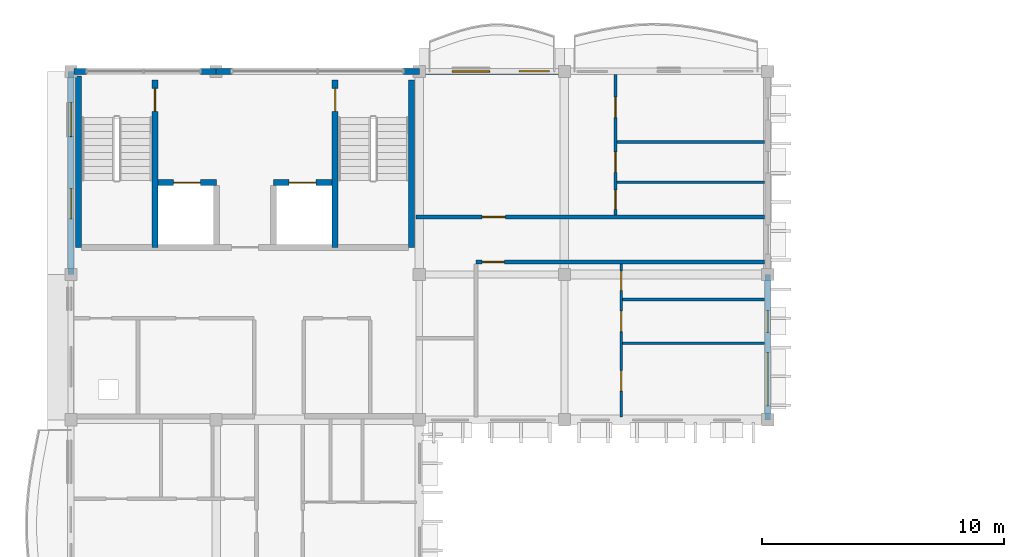
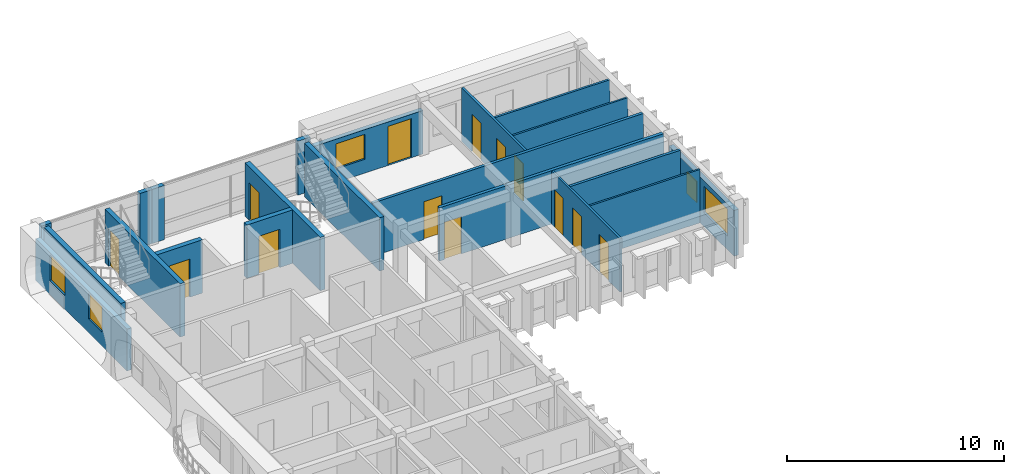
# One storey, part 9 of 28: 21 walls, 13 doors, 5 windows, 18 openings.
"""IFC4 building model written with IfcOpenShell, lengths in metres."""

from ifc_helpers import new_model, si_unit, direction, frame, frame_2d, origin, place, context, subcontext, project, spatial, rectangle, extrude, material, layer, layer_set, type_object, element, fill, save


model = new_model("IFC4")

# Units and contexts
model_context = context("Model", 3, precision=1e-05, world=origin(), true_north=direction((0.0, 1.0)))
body_context = subcontext(model_context, "Body", "Model", "MODEL_VIEW")
ifc_project = project(units=[si_unit("LENGTHUNIT", "METRE"), si_unit("AREAUNIT", "SQUARE_METRE"), si_unit("VOLUMEUNIT", "CUBIC_METRE"), si_unit("PLANEANGLEUNIT", "RADIAN"), si_unit("MASSUNIT", "GRAM", prefix="KILO"), si_unit("THERMODYNAMICTEMPERATUREUNIT", "KELVIN")], contexts=[model_context])

# Site, building, storey
site_placement = place(None, origin())
site = spatial("IfcSite", under=ifc_project, at=site_placement, CompositionType="ELEMENT")
building_placement = place(site_placement, origin())
building = spatial("IfcBuilding", under=site, at=building_placement, Name="Thalorik Housing Commons", CompositionType="ELEMENT")
storey_placement = place(building_placement, frame((0.0, 0.0, 41.10009765625)))
storey = spatial("IfcBuildingStorey", under=building, at=storey_placement, Name="L12", CompositionType="ELEMENT", Elevation=41.10009765625)

# Wall, opening, door
ifc_material_1 = material(Name="Concrete C40/50", Category="concrete")
ifc_layer_1 = layer(ifc_material_1, 0.25, Name="Concrete C40/50", Category="concrete")
ifc_layer_set_1 = layer_set([ifc_layer_1], Name="Concrete C40/50")
wall_type_1 = type_object("IfcWallType", Name="ARC-WAL-CORE-250", PredefinedType="SHEAR", material=ifc_layer_set_1)
wall_1_placement = place(storey_placement, frame((11.875, 123.25, 0.0), z_axis=(0.0, 0.0, 1.0), x_axis=(0.0, -1.0, 0.0)))
wall_1 = element("IfcWall", 1, at=wall_1_placement, inside=storey, type_object=wall_type_1, Name="L12 Core A Stair 1 Shear Wall", PredefinedType="SHEAR", context=body_context, shape_type="SweptSolid", body=[
    extrude(rectangle(XDim=6.925048828125, YDim=0.25, at=frame_2d((3.46240234375, 0.0))), origin(), (0.0, 0.0, 1.0), 3.0),
])
opening_1_placement = place(wall_1_placement, frame((0.35009765625, 0.0, 0.0)))
opening_1 = element("IfcOpeningElement", 2, at=opening_1_placement, cuts=wall_1, Name="Opening ID-0105", PredefinedType="OPENING", context=body_context, shape_type="SweptSolid", body=[
    extrude(rectangle(XDim=0.949951171875, YDim=2.10009765625, at=frame_2d((0.47509765625, 1.050048828125))), frame((0.0, 0.135009765625, 0.0), z_axis=(0.0, -1.0, 0.0), x_axis=(1.0, 0.0, 0.0)), (0.0, 0.0, 1.0), 0.27001953125),
])
ifc_material_2 = material(Name="Steel S355", Category="steel")
door_type_1 = type_object("IfcDoorType", Name="ARC-DR-FD60-950", OperationType="NOTDEFINED", PredefinedType="DOOR", material=ifc_material_2)
door_1_placement = place(opening_1_placement, origin())
door_1 = element("IfcDoor", 3, at=door_1_placement, inside=storey, type_object=door_type_1, Name="L12 Stair ST-A1 Fire Door", OperationType="SINGLE_SWING_RIGHT", OverallHeight=2.10009765625, OverallWidth=0.949951171875, PredefinedType="DOOR", context=body_context, shape_type="SweptSolid", body=[
    extrude(rectangle(XDim=0.949951171875, YDim=2.10009765625, at=frame_2d((0.47509765625, 1.050048828125))), frame((0.0, 0.02490234375, 0.0), z_axis=(0.0, -1.0, 0.0), x_axis=(1.0, 0.0, 0.0)), (0.0, 0.0, 1.0), 0.050048828125),
])
fill(opening_1, door_1)

# Walls
wall_2_placement = place(storey_placement, frame((8.72509765625, 123.39990234375, 0.0), z_axis=(0.0, 0.0, 1.0), x_axis=(0.0, -1.0, 0.0)))
element("IfcWall", 4, at=wall_2_placement, inside=storey, type_object=wall_type_1, Name="L12 Core A Stair 1 Outer Shear Wall", PredefinedType="SHEAR", context=body_context, shape_type="SweptSolid", body=[
    extrude(rectangle(XDim=7.074951171875, YDim=0.25, at=frame_2d((3.53759765625, 0.0))), origin(), (0.0, 0.0, 1.0), 3.0),
])
wall_3_placement = place(storey_placement, frame((22.47509765625, 123.25, 0.0), z_axis=(0.0, 0.0, 1.0), x_axis=(0.0, -1.0, 0.0)))
element("IfcWall", 5, at=wall_3_placement, inside=storey, type_object=wall_type_1, Name="L12 Core A Stair 2 Outer Shear Wall", PredefinedType="SHEAR", context=body_context, shape_type="SweptSolid", body=[
    extrude(rectangle(XDim=6.925048828125, YDim=0.25, at=frame_2d((3.46240234375, 0.0))), origin(), (0.0, 0.0, 1.0), 3.0),
])

# Wall, opening, door
wall_4_placement = place(storey_placement, frame((19.324951171875, 123.25, 0.0), z_axis=(0.0, 0.0, 1.0), x_axis=(0.0, -1.0, 0.0)))
wall_4 = element("IfcWall", 6, at=wall_4_placement, inside=storey, type_object=wall_type_1, Name="L12 Core A Stair 2 Shear Wall", PredefinedType="SHEAR", context=body_context, shape_type="SweptSolid", body=[
    extrude(rectangle(XDim=6.925048828125, YDim=0.25, at=frame_2d((3.46240234375, 0.0))), origin(), (0.0, 0.0, 1.0), 3.0),
])
opening_2_placement = place(wall_4_placement, frame((0.35009765625, 0.0, 0.0)))
opening_2 = element("IfcOpeningElement", 7, at=opening_2_placement, cuts=wall_4, Name="Opening ID-0106", PredefinedType="OPENING", context=body_context, shape_type="SweptSolid", body=[
    extrude(rectangle(XDim=0.949951171875, YDim=2.10009765625, at=frame_2d((0.47509765625, 1.050048828125))), frame((0.0, 0.135009765625, 0.0), z_axis=(0.0, -1.0, 0.0), x_axis=(1.0, 0.0, 0.0)), (0.0, 0.0, 1.0), 0.27001953125),
])
door_2_placement = place(opening_2_placement, origin())
door_2 = element("IfcDoor", 8, at=door_2_placement, inside=storey, type_object=door_type_1, Name="L12 Stair ST-A2 Fire Door", OperationType="SINGLE_SWING_LEFT", OverallHeight=2.10009765625, OverallWidth=0.949951171875, PredefinedType="DOOR", context=body_context, shape_type="SweptSolid", body=[
    extrude(rectangle(XDim=0.949951171875, YDim=2.10009765625, at=frame_2d((0.47509765625, 1.050048828125))), frame((0.0, 0.02490234375, 0.0), z_axis=(0.0, -1.0, 0.0), x_axis=(1.0, 0.0, 0.0)), (0.0, 0.0, 1.0), 0.050048828125),
])
fill(opening_2, door_2)

wall_5_placement = place(storey_placement, frame((12.0, 119.0, 0.0), z_axis=(0.0, 0.0, 1.0), x_axis=(1.0, 0.0, 0.0)))
wall_5 = element("IfcWall", 9, at=wall_5_placement, inside=storey, type_object=wall_type_1, Name="L12 Lift LF-A1 Front Shaft Wall", PredefinedType="SHEAR", context=body_context, shape_type="SweptSolid", body=[
    extrude(rectangle(XDim=2.425048828125, YDim=0.25, at=frame_2d((1.21240234375, 0.0))), origin(), (0.0, 0.0, 1.0), 3.0),
])
opening_3_placement = place(wall_5_placement, frame((0.64990234375, 0.0, 0.0)))
opening_3 = element("IfcOpeningElement", 10, at=opening_3_placement, cuts=wall_5, Name="Opening LD-LF-A1-L12", PredefinedType="OPENING", context=body_context, shape_type="SweptSolid", body=[
    extrude(rectangle(XDim=1.10009765625, YDim=2.14990234375, at=frame_2d((0.550048828125, 1.074951171875))), frame((0.0, 0.135009765625, 0.0), z_axis=(0.0, -1.0, 0.0), x_axis=(1.0, 0.0, 0.0)), (0.0, 0.0, 1.0), 0.27001953125),
])
door_type_2 = type_object("IfcDoorType", Name="ARC-DR-LIFT-1100", OperationType="NOTDEFINED", PredefinedType="DOOR", material=ifc_material_2)
door_3_placement = place(opening_3_placement, origin())
door_3 = element("IfcDoor", 11, at=door_3_placement, inside=storey, type_object=door_type_2, Name="L12 Lift LF-A1 Landing Door", OperationType="SLIDING_TO_LEFT", OverallHeight=2.14990234375, OverallWidth=1.10009765625, PredefinedType="DOOR", context=body_context, shape_type="SweptSolid", body=[
    extrude(rectangle(XDim=1.10009765625, YDim=2.14990234375, at=frame_2d((0.550048828125, 1.074951171875))), frame((0.0, 0.02490234375, 0.0), z_axis=(0.0, -1.0, 0.0), x_axis=(1.0, 0.0, 0.0)), (0.0, 0.0, 1.0), 0.050048828125),
])
fill(opening_3, door_3)

wall_6_placement = place(storey_placement, frame((16.77490234375, 119.0, 0.0), z_axis=(0.0, 0.0, 1.0), x_axis=(1.0, 0.0, 0.0)))
wall_6 = element("IfcWall", 12, at=wall_6_placement, inside=storey, type_object=wall_type_1, Name="L12 Lift LP-A2 Front Shaft Wall", PredefinedType="SHEAR", context=body_context, shape_type="SweptSolid", body=[
    extrude(rectangle(XDim=2.425048828125, YDim=0.25, at=frame_2d((1.21240234375, 0.0))), origin(), (0.0, 0.0, 1.0), 3.0),
])
opening_4_placement = place(wall_6_placement, frame((0.64990234375, 0.0, 0.0)))
opening_4 = element("IfcOpeningElement", 13, at=opening_4_placement, cuts=wall_6, Name="Opening LD-LP-A2-L12", PredefinedType="OPENING", context=body_context, shape_type="SweptSolid", body=[
    extrude(rectangle(XDim=1.10009765625, YDim=2.14990234375, at=frame_2d((0.550048828125, 1.074951171875))), frame((0.0, 0.135009765625, 0.0), z_axis=(0.0, -1.0, 0.0), x_axis=(1.0, 0.0, 0.0)), (0.0, 0.0, 1.0), 0.27001953125),
])
door_4_placement = place(opening_4_placement, origin())
door_4 = element("IfcDoor", 14, at=door_4_placement, inside=storey, type_object=door_type_2, Name="L12 Lift LP-A2 Landing Door", OperationType="SLIDING_TO_LEFT", OverallHeight=2.14990234375, OverallWidth=1.10009765625, PredefinedType="DOOR", context=body_context, shape_type="SweptSolid", body=[
    extrude(rectangle(XDim=1.10009765625, YDim=2.14990234375, at=frame_2d((0.550048828125, 1.074951171875))), frame((0.0, 0.02490234375, 0.0), z_axis=(0.0, -1.0, 0.0), x_axis=(1.0, 0.0, 0.0)), (0.0, 0.0, 1.0), 0.050048828125),
])
fill(opening_4, door_4)

ifc_material_3 = material(Name="Masonry fire-rated corridor wall", Category="masonry")
ifc_layer_2 = layer(ifc_material_3, 0.14990234375, Name="Masonry fire-rated corridor wall", Category="masonry")
ifc_layer_set_2 = layer_set([ifc_layer_2], Name="Masonry fire-rated corridor wall")
wall_type_2 = type_object("IfcWallType", Name="ARC-WAL-CORR-150", PredefinedType="PARTITIONING", material=ifc_layer_set_2)
wall_7_placement = place(storey_placement, frame((22.659912109375, 117.580078125, 0.0), z_axis=(0.0, 0.0, 1.0), x_axis=(1.0, 0.0, 0.0)))
wall_7 = element("IfcWall", 15, at=wall_7_placement, inside=storey, type_object=wall_type_2, Name="L12 Block A N Corridor Wall 2", PredefinedType="PARTITIONING", context=body_context, shape_type="SweptSolid", body=[
    extrude(rectangle(XDim=14.41552734375, YDim=0.14990234375, at=frame_2d((7.207763671875, 0.0))), origin(), (0.0, 0.0, 1.0), 3.0),
])
opening_5_placement = place(wall_7_placement, frame((2.739990234375, 0.0, 0.0)))
opening_5 = element("IfcOpeningElement", 16, at=opening_5_placement, cuts=wall_7, Name="Opening ID-0900", PredefinedType="OPENING", context=body_context, shape_type="SweptSolid", body=[
    extrude(rectangle(XDim=0.9599609375, YDim=2.1201171875, at=frame_2d((0.47998046875, 1.06005859375))), frame((0.0, 0.0849609375, 0.0), z_axis=(0.0, -1.0, 0.0), x_axis=(1.0, 0.0, 0.0)), (0.0, 0.0, 1.0), 0.169921875),
])
ifc_material_4 = material(Name="Solid core hardwood timber", Category="wood")
door_type_3 = type_object("IfcDoorType", Name="ARC-DR-FD30-960", OperationType="NOTDEFINED", PredefinedType="DOOR", material=ifc_material_4)
door_5_placement = place(opening_5_placement, origin())
door_5 = element("IfcDoor", 17, at=door_5_placement, inside=storey, type_object=door_type_3, Name="L12 Flat AN-1B Entrance Door", OperationType="SINGLE_SWING_LEFT", OverallHeight=2.1201171875, OverallWidth=0.9599609375, PredefinedType="DOOR", context=body_context, shape_type="SweptSolid", body=[
    extrude(rectangle(XDim=0.9599609375, YDim=2.1201171875, at=frame_2d((0.47998046875, 1.06005859375))), frame((0.0, 0.02490234375, 0.0), z_axis=(0.0, -1.0, 0.0), x_axis=(1.0, 0.0, 0.0)), (0.0, 0.0, 1.0), 0.050048828125),
])
fill(opening_5, door_5)

ifc_layer_3 = layer(ifc_material_3, 0.1650390625, Name="Masonry fire-rated corridor wall", Category="masonry")
ifc_layer_set_3 = layer_set([ifc_layer_3], Name="Masonry fire-rated corridor wall")
wall_type_3 = type_object("IfcWallType", Name="ARC-WAL-CORR-165", PredefinedType="PARTITIONING", material=ifc_layer_set_3)
wall_8_placement = place(storey_placement, frame((25.14990234375, 115.719970703125, 0.0), z_axis=(0.0, 0.0, 1.0), x_axis=(1.0, 0.0, 0.0)))
wall_8 = element("IfcWall", 18, at=wall_8_placement, inside=storey, type_object=wall_type_3, Name="L12 Block A N Corridor Wall 1", PredefinedType="PARTITIONING", context=body_context, shape_type="SweptSolid", body=[
    extrude(rectangle(XDim=11.925537109375, YDim=0.1650390625, at=frame_2d((5.962890625, 0.0))), origin(), (0.0, 0.0, 1.0), 3.0),
])
opening_6_placement = place(wall_8_placement, frame((0.25, 0.0, 0.0)))
opening_6 = element("IfcOpeningElement", 19, at=opening_6_placement, cuts=wall_8, Name="Opening ID-0899", PredefinedType="OPENING", context=body_context, shape_type="SweptSolid", body=[
    extrude(rectangle(XDim=0.919921875, YDim=2.10009765625, at=frame_2d((0.4599609375, 1.050048828125))), frame((0.0, 0.092529296875, 0.0), z_axis=(0.0, -1.0, 0.0), x_axis=(1.0, 0.0, 0.0)), (0.0, 0.0, 1.0), 0.18505859375),
])
door_type_4 = type_object("IfcDoorType", Name="ARC-DR-FD30-920", OperationType="NOTDEFINED", PredefinedType="DOOR", material=ifc_material_4)
door_6_placement = place(opening_6_placement, origin())
door_6 = element("IfcDoor", 20, at=door_6_placement, inside=storey, type_object=door_type_4, Name="L12 Flat AN-1A Entrance Door", OperationType="SINGLE_SWING_RIGHT", OverallHeight=2.10009765625, OverallWidth=0.919921875, PredefinedType="DOOR", context=body_context, shape_type="SweptSolid", body=[
    extrude(rectangle(XDim=0.919921875, YDim=2.10009765625, at=frame_2d((0.4599609375, 1.050048828125))), frame((0.0, 0.02490234375, 0.0), z_axis=(0.0, -1.0, 0.0), x_axis=(1.0, 0.0, 0.0)), (0.0, 0.0, 1.0), 0.050048828125),
])
fill(opening_6, door_6)

# Wall, openings, windows
ifc_material_5 = material(Name="White precast concrete C40/50", Category="concrete")
ifc_layer_4 = layer(ifc_material_5, 0.2451171875, Name="White precast concrete C40/50", Category="concrete")
ifc_layer_set_4 = layer_set([ifc_layer_4], Name="White precast concrete C40/50")
wall_type_4 = type_object("IfcWallType", Name="ARC-WAL-EXT-245", PredefinedType="STANDARD", material=ifc_layer_set_4)
wall_9_placement = place(storey_placement, frame((37.199951171875, 109.199951171875, 0.0), z_axis=(0.0, 0.0, 1.0), x_axis=(0.0, 1.0, 0.0)))
wall_9 = element("IfcWall", 21, at=wall_9_placement, inside=storey, type_object=wall_type_4, Name="L12 Exterior Wall WAL-EXT-L12-A-0299", PredefinedType="STANDARD", context=body_context, shape_type="SweptSolid", body=[
    extrude(rectangle(XDim=6.0, YDim=0.2451171875, at=frame_2d((3.0, 0.0))), origin(), (0.0, 0.0, 1.0), 2.574951171875),
])
opening_7_placement = place(wall_9_placement, frame((0.575439453125, 0.0, 0.780029296875)))
opening_7 = element("IfcOpeningElement", 22, at=opening_7_placement, cuts=wall_9, Name="Opening W-29", PredefinedType="OPENING", context=body_context, shape_type="SweptSolid", body=[
    extrude(rectangle(XDim=2.199951171875, YDim=1.5, at=frame_2d((1.10009765625, 0.75))), frame((0.0, 0.132568359375, 0.0), z_axis=(0.0, -1.0, 0.0), x_axis=(1.0, 0.0, 0.0)), (0.0, 0.0, 1.0), 0.26513671875),
])
opening_8_placement = place(wall_9_placement, frame((3.615234375, 0.0, 0.780029296875)))
opening_8 = element("IfcOpeningElement", 23, at=opening_8_placement, cuts=wall_9, Name="Opening W-01", PredefinedType="OPENING", context=body_context, shape_type="SweptSolid", body=[
    extrude(rectangle(XDim=0.89990234375, YDim=1.199951171875, at=frame_2d((0.449951171875, 0.60009765625))), frame((0.0, 0.132568359375, 0.0), z_axis=(0.0, -1.0, 0.0), x_axis=(1.0, 0.0, 0.0)), (0.0, 0.0, 1.0), 0.26513671875),
])
ifc_material_6 = material(Name="Anodised aluminium and solar-control low-E glass", Category="aluminium")
window_type_1 = type_object("IfcWindowType", Name="ARC-WIN-01", PartitioningType="SINGLE_PANEL", PredefinedType="WINDOW", material=ifc_material_6)
window_1_placement = place(opening_8_placement, origin())
window_1 = element("IfcWindow", 24, at=window_1_placement, inside=storey, type_object=window_type_1, Name="L12 Facade Window 538", OverallHeight=1.199951171875, OverallWidth=0.89990234375, PartitioningType="SINGLE_PANEL", PredefinedType="WINDOW", context=body_context, shape_type="SweptSolid", body=[
    extrude(rectangle(XDim=0.89990234375, YDim=1.199951171875, at=frame_2d((0.449951171875, 0.60009765625))), frame((0.0, 0.030029296875, 0.0), z_axis=(0.0, -1.0, 0.0), x_axis=(1.0, 0.0, 0.0)), (0.0, 0.0, 1.0), 0.06005859375),
])
fill(opening_8, window_1)
window_type_2 = type_object("IfcWindowType", Name="ARC-WIN-29", PartitioningType="DOUBLE_PANEL_VERTICAL", PredefinedType="WINDOW", material=ifc_material_6)
window_2_placement = place(opening_7_placement, origin())
window_2 = element("IfcWindow", 25, at=window_2_placement, inside=storey, type_object=window_type_2, Name="L12 Facade Window 537", OverallHeight=1.5, OverallWidth=2.199951171875, PartitioningType="DOUBLE_PANEL_VERTICAL", PredefinedType="WINDOW", context=body_context, shape_type="SweptSolid", body=[
    extrude(rectangle(XDim=2.199951171875, YDim=1.5, at=frame_2d((1.10009765625, 0.75))), frame((0.0, 0.030029296875, 0.0), z_axis=(0.0, -1.0, 0.0), x_axis=(1.0, 0.0, 0.0)), (0.0, 0.0, 1.0), 0.06005859375),
])
fill(opening_7, window_2)

# Wall, openings, door, window
wall_10_placement = place(storey_placement, frame((28.800048828125, 123.60009765625, 0.0), z_axis=(0.0, 0.0, 1.0), x_axis=(-1.0, 0.0, 0.0)))
wall_10 = element("IfcWall", 26, at=wall_10_placement, inside=storey, type_object=wall_type_4, Name="L12 Exterior Wall WAL-EXT-L12-A-0302", PredefinedType="STANDARD", context=body_context, shape_type="SweptSolid", body=[
    extrude(rectangle(XDim=6.0, YDim=0.2451171875, at=frame_2d((3.0, 0.0))), origin(), (0.0, 0.0, 1.0), 2.44482421875),
])
opening_9_placement = place(wall_10_placement, frame((0.6201171875, 0.0, 0.0)))
opening_9 = element("IfcOpeningElement", 27, at=opening_9_placement, cuts=wall_10, Name="Opening ED-0097", PredefinedType="OPENING", context=body_context, shape_type="SweptSolid", body=[
    extrude(rectangle(XDim=1.25, YDim=2.199951171875, at=frame_2d((0.625, 1.10009765625))), frame((0.0, 0.132568359375, 0.0), z_axis=(0.0, -1.0, 0.0), x_axis=(1.0, 0.0, 0.0)), (0.0, 0.0, 1.0), 0.26513671875),
])
opening_10_placement = place(wall_10_placement, frame((3.090087890625, 0.0, 0.780029296875)))
opening_10 = element("IfcOpeningElement", 28, at=opening_10_placement, cuts=wall_10, Name="Opening W-12", PredefinedType="OPENING", context=body_context, shape_type="SweptSolid", body=[
    extrude(rectangle(XDim=1.550048828125, YDim=1.39990234375, at=frame_2d((0.77490234375, 0.699951171875))), frame((0.0, 0.132568359375, 0.0), z_axis=(0.0, -1.0, 0.0), x_axis=(1.0, 0.0, 0.0)), (0.0, 0.0, 1.0), 0.26513671875),
])
ifc_material_7 = material(Name="Anodised aluminium and laminated safety glass", Category="aluminium")
door_type_5 = type_object("IfcDoorType", Name="ARC-DR-BAL-1250", OperationType="NOTDEFINED", PredefinedType="DOOR", material=ifc_material_7)
door_7_placement = place(opening_9_placement, frame((1.25, 0.0, 0.0), z_axis=(0.0, 0.0, 1.0), x_axis=(-1.0, 0.0, 0.0)))
door_7 = element("IfcDoor", 29, at=door_7_placement, inside=storey, type_object=door_type_5, Name="L12 Block A Balcony Glazed Door", OperationType="SINGLE_SWING_RIGHT", OverallHeight=2.199951171875, OverallWidth=1.25, PredefinedType="DOOR", context=body_context, shape_type="SweptSolid", body=[
    extrude(rectangle(XDim=1.25, YDim=2.199951171875, at=frame_2d((0.625, 1.10009765625))), frame((0.0, 0.02490234375, 0.0), z_axis=(0.0, -1.0, 0.0), x_axis=(1.0, 0.0, 0.0)), (0.0, 0.0, 1.0), 0.050048828125),
])
fill(opening_9, door_7)
window_type_3 = type_object("IfcWindowType", Name="ARC-WIN-12", PartitioningType="SINGLE_PANEL", PredefinedType="WINDOW", material=ifc_material_6)
window_3_placement = place(opening_10_placement, origin())
window_3 = element("IfcWindow", 30, at=window_3_placement, inside=storey, type_object=window_type_3, Name="L12 Facade Window 544", OverallHeight=1.39990234375, OverallWidth=1.550048828125, PartitioningType="SINGLE_PANEL", PredefinedType="WINDOW", context=body_context, shape_type="SweptSolid", body=[
    extrude(rectangle(XDim=1.550048828125, YDim=1.39990234375, at=frame_2d((0.77490234375, 0.699951171875))), frame((0.0, 0.030029296875, 0.0), z_axis=(0.0, -1.0, 0.0), x_axis=(1.0, 0.0, 0.0)), (0.0, 0.0, 1.0), 0.06005859375),
])
fill(opening_10, window_3)

# Walls
for number, where, z_axis, x_axis, name in (
    (31, (22.800048828125, 123.60009765625, 0.0), (0.0, 0.0, 1.0), (-1.0, 0.0, 0.0), "L12 Exterior Wall WAL-PIERL-L12-A-0303"),
    (32, (15.050048828125, 123.60009765625, 0.0), (0.0, 0.0, 1.0), (-1.0, 0.0, 0.0), "L12 Exterior Wall WAL-PIERR-L12-A-0303"),
):
    element("IfcWall", number, at=place(storey_placement, frame(where, z_axis=z_axis, x_axis=x_axis)), inside=storey, type_object=wall_type_4, Name=name, PredefinedType="STANDARD", context=body_context, shape_type="SweptSolid", body=[
        extrude(rectangle(XDim=0.650146484375, YDim=0.2451171875, at=frame_2d((0.3251953125, 0.0))), origin(), (0.0, 0.0, 1.0), 3.039794921875),
    ])
wall_11_placement = place(storey_placement, frame((14.39990234375, 123.60009765625, 0.0), z_axis=(0.0, 0.0, 1.0), x_axis=(-1.0, 0.0, 0.0)))
element("IfcWall", 33, at=wall_11_placement, inside=storey, type_object=wall_type_4, Name="L12 Exterior Wall WAL-PIERL-L12-A-0304", PredefinedType="STANDARD", context=body_context, shape_type="SweptSolid", body=[
    extrude(rectangle(XDim=0.64990234375, YDim=0.2451171875, at=frame_2d((0.324951171875, 0.0))), origin(), (0.0, 0.0, 1.0), 3.039794921875),
])
wall_12_placement = place(storey_placement, frame((9.050048828125, 123.60009765625, 0.0), z_axis=(0.0, 0.0, 1.0), x_axis=(-1.0, 0.0, 0.0)))
element("IfcWall", 34, at=wall_12_placement, inside=storey, type_object=wall_type_4, Name="L12 Exterior Wall WAL-PIERR-L12-A-0304", PredefinedType="STANDARD", context=body_context, shape_type="SweptSolid", body=[
    extrude(rectangle(XDim=0.525634765625, YDim=0.2451171875, at=frame_2d((0.2626953125, 0.0))), origin(), (0.0, 0.0, 1.0), 3.039794921875),
])

# Wall, openings, windows
wall_13_placement = place(storey_placement, frame((8.39990234375, 123.60009765625, 0.0), z_axis=(0.0, 0.0, 1.0), x_axis=(0.0, -1.0, 0.0)))
wall_13 = element("IfcWall", 35, at=wall_13_placement, inside=storey, type_object=wall_type_4, Name="L12 Exterior Wall WAL-EXT-L12-A-0305", PredefinedType="STANDARD", context=body_context, shape_type="SweptSolid", body=[
    extrude(rectangle(XDim=8.400146484375, YDim=0.2451171875, at=frame_2d((4.2001953125, 0.0))), origin(), (0.0, 0.0, 1.0), 2.344970703125),
])
opening_11_placement = place(wall_13_placement, frame((1.29638671875, 0.0, 0.780029296875)))
opening_11 = element("IfcOpeningElement", 36, at=opening_11_placement, cuts=wall_13, Name="Opening W-08", PredefinedType="OPENING", context=body_context, shape_type="SweptSolid", body=[
    extrude(rectangle(XDim=1.39990234375, YDim=1.449951171875, at=frame_2d((0.699951171875, 0.72509765625))), frame((0.0, 0.132568359375, 0.0), z_axis=(0.0, -1.0, 0.0), x_axis=(1.0, 0.0, 0.0)), (0.0, 0.0, 1.0), 0.26513671875),
])
opening_12_placement = place(wall_13_placement, frame((4.84375, 0.0, 0.780029296875)))
opening_12 = element("IfcOpeningElement", 37, at=opening_12_placement, cuts=wall_13, Name="Opening W-47", PredefinedType="OPENING", context=body_context, shape_type="SweptSolid", body=[
    extrude(rectangle(XDim=1.25, YDim=1.449951171875, at=frame_2d((0.625, 0.72509765625))), frame((0.0, 0.132568359375, 0.0), z_axis=(0.0, -1.0, 0.0), x_axis=(1.0, 0.0, 0.0)), (0.0, 0.0, 1.0), 0.26513671875),
])
window_type_4 = type_object("IfcWindowType", Name="ARC-WIN-08", PartitioningType="SINGLE_PANEL", PredefinedType="WINDOW", material=ifc_material_6)
window_4_placement = place(opening_11_placement, origin())
window_4 = element("IfcWindow", 38, at=window_4_placement, inside=storey, type_object=window_type_4, Name="L12 Facade Window 545", OverallHeight=1.449951171875, OverallWidth=1.39990234375, PartitioningType="SINGLE_PANEL", PredefinedType="WINDOW", context=body_context, shape_type="SweptSolid", body=[
    extrude(rectangle(XDim=1.39990234375, YDim=1.449951171875, at=frame_2d((0.699951171875, 0.72509765625))), frame((0.0, 0.030029296875, 0.0), z_axis=(0.0, -1.0, 0.0), x_axis=(1.0, 0.0, 0.0)), (0.0, 0.0, 1.0), 0.06005859375),
])
fill(opening_11, window_4)
window_type_5 = type_object("IfcWindowType", Name="ARC-WIN-47", PartitioningType="SINGLE_PANEL", PredefinedType="WINDOW", material=ifc_material_6)
window_5_placement = place(opening_12_placement, origin())
window_5 = element("IfcWindow", 39, at=window_5_placement, inside=storey, type_object=window_type_5, Name="L12 Facade Window 546", OverallHeight=1.449951171875, OverallWidth=1.25, PartitioningType="SINGLE_PANEL", PredefinedType="WINDOW", context=body_context, shape_type="SweptSolid", body=[
    extrude(rectangle(XDim=1.25, YDim=1.449951171875, at=frame_2d((0.625, 0.72509765625))), frame((0.0, 0.030029296875, 0.0), z_axis=(0.0, -1.0, 0.0), x_axis=(1.0, 0.0, 0.0)), (0.0, 0.0, 1.0), 0.06005859375),
])
fill(opening_12, window_5)

# Walls
ifc_material_8 = material(Name="Gypsum light stud partition", Category="masonry")
ifc_layer_5 = layer(ifc_material_8, 0.10009765625, Name="Gypsum light stud partition", Category="masonry")
ifc_layer_set_5 = layer_set([ifc_layer_5], Name="Gypsum light stud partition")
wall_type_5 = type_object("IfcWallType", Name="ARC-WAL-PART-100", PredefinedType="PARTITIONING", material=ifc_layer_set_5)
wall_14_placement = place(storey_placement, frame((31.20458984375, 112.36083984375, 0.0), z_axis=(0.0, 0.0, 1.0), x_axis=(1.0, 0.0, 0.0)))
element("IfcWall", 40, at=wall_14_placement, inside=storey, type_object=wall_type_5, Name="L12 Unit 1 Bedroom Partition", PredefinedType="PARTITIONING", context=body_context, shape_type="SweptSolid", body=[
    extrude(rectangle(XDim=5.870849609375, YDim=0.10009765625, at=frame_2d((2.935546875, 0.0))), origin(), (0.0, 0.0, 1.0), 3.0),
])
wall_15_placement = place(storey_placement, frame((30.9697265625, 119.010498046875, 0.0), z_axis=(0.0, 0.0, 1.0), x_axis=(1.0, 0.0, 0.0)))
element("IfcWall", 41, at=wall_15_placement, inside=storey, type_object=wall_type_5, Name="L12 Unit 1B Wet Wall", PredefinedType="PARTITIONING", context=body_context, shape_type="SweptSolid", body=[
    extrude(rectangle(XDim=6.105712890625, YDim=0.10009765625, at=frame_2d((3.052734375, 0.0))), origin(), (0.0, 0.0, 1.0), 3.0),
])

# Wall, openings, doors
ifc_material_9 = material(Name="Gypsum moisture-resistant partition", Category="masonry")
ifc_layer_6 = layer(ifc_material_9, 0.114990234375, Name="Gypsum moisture-resistant partition", Category="masonry")
ifc_layer_set_6 = layer_set([ifc_layer_6], Name="Gypsum moisture-resistant partition")
wall_type_6 = type_object("IfcWallType", Name="ARC-WAL-PART-115", PredefinedType="PARTITIONING", material=ifc_layer_set_6)
wall_16_placement = place(storey_placement, frame((31.14501953125, 109.324462890625, 0.0), z_axis=(0.0, 0.0, 1.0), x_axis=(0.0, 1.0, 0.0)))
wall_16 = element("IfcWall", 42, at=wall_16_placement, inside=storey, type_object=wall_type_6, Name="L12 Unit 1 Spine Partition", PredefinedType="PARTITIONING", context=body_context, shape_type="SweptSolid", body=[
    extrude(rectangle(XDim=6.31103515625, YDim=0.114990234375, at=frame_2d((3.155517578125, 0.0))), origin(), (0.0, 0.0, 1.0), 3.0),
])
opening_13_placement = place(wall_16_placement, frame((1.060791015625, 0.0, 0.0)))
opening_13 = element("IfcOpeningElement", 43, at=opening_13_placement, cuts=wall_16, Name="Opening ID-0893", PredefinedType="OPENING", context=body_context, shape_type="SweptSolid", body=[
    extrude(rectangle(XDim=0.85009765625, YDim=2.10009765625, at=frame_2d((0.425048828125, 1.050048828125))), frame((0.0, 0.0673828125, 0.0), z_axis=(0.0, -1.0, 0.0), x_axis=(1.0, 0.0, 0.0)), (0.0, 0.0, 1.0), 0.135009765625),
])
opening_14_placement = place(wall_16_placement, frame((3.515625, 0.0, 0.0)))
opening_14 = element("IfcOpeningElement", 44, at=opening_14_placement, cuts=wall_16, Name="Opening ID-0894", PredefinedType="OPENING", context=body_context, shape_type="SweptSolid", body=[
    extrude(rectangle(XDim=0.85009765625, YDim=2.10009765625, at=frame_2d((0.425048828125, 1.050048828125))), frame((0.0, 0.0673828125, 0.0), z_axis=(0.0, -1.0, 0.0), x_axis=(1.0, 0.0, 0.0)), (0.0, 0.0, 1.0), 0.135009765625),
])
opening_15_placement = place(wall_16_placement, frame((5.22021484375, 0.0, 0.0)))
opening_15 = element("IfcOpeningElement", 45, at=opening_15_placement, cuts=wall_16, Name="Opening ID-0895", PredefinedType="OPENING", context=body_context, shape_type="SweptSolid", body=[
    extrude(rectangle(XDim=0.800048828125, YDim=2.10009765625, at=frame_2d((0.39990234375, 1.050048828125))), frame((0.0, 0.0673828125, 0.0), z_axis=(0.0, -1.0, 0.0), x_axis=(1.0, 0.0, 0.0)), (0.0, 0.0, 1.0), 0.135009765625),
])
ifc_material_10 = material(Name="Moisture-resistant timber", Category="wood")
door_type_6 = type_object("IfcDoorType", Name="ARC-DR-INT-800", OperationType="NOTDEFINED", PredefinedType="DOOR", material=ifc_material_10)
door_8_placement = place(opening_15_placement, origin())
door_8 = element("IfcDoor", 46, at=door_8_placement, inside=storey, type_object=door_type_6, Name="L12 Flat Bathroom Door", OperationType="SINGLE_SWING_RIGHT", OverallHeight=2.10009765625, OverallWidth=0.800048828125, PredefinedType="DOOR", context=body_context, shape_type="SweptSolid", body=[
    extrude(rectangle(XDim=0.800048828125, YDim=2.10009765625, at=frame_2d((0.39990234375, 1.050048828125))), frame((0.0, 0.02490234375, 0.0), z_axis=(0.0, -1.0, 0.0), x_axis=(1.0, 0.0, 0.0)), (0.0, 0.0, 1.0), 0.050048828125),
])
fill(opening_15, door_8)
ifc_material_11 = material(Name="Engineered oak timber", Category="wood")
door_type_7 = type_object("IfcDoorType", Name="ARC-DR-INT-850", OperationType="NOTDEFINED", PredefinedType="DOOR", material=ifc_material_11)
door_9_placement = place(opening_13_placement, origin())
door_9 = element("IfcDoor", 47, at=door_9_placement, inside=storey, type_object=door_type_7, Name="L12 Single Bedroom Door", OperationType="SINGLE_SWING_RIGHT", OverallHeight=2.10009765625, OverallWidth=0.85009765625, PredefinedType="DOOR", context=body_context, shape_type="SweptSolid", body=[
    extrude(rectangle(XDim=0.85009765625, YDim=2.10009765625, at=frame_2d((0.425048828125, 1.050048828125))), frame((0.0, 0.02490234375, 0.0), z_axis=(0.0, -1.0, 0.0), x_axis=(1.0, 0.0, 0.0)), (0.0, 0.0, 1.0), 0.050048828125),
])
fill(opening_13, door_9)
door_10_placement = place(opening_14_placement, origin())
door_10 = element("IfcDoor", 48, at=door_10_placement, inside=storey, type_object=door_type_7, Name="L12 Galley Kitchen Door", OperationType="SINGLE_SWING_LEFT", OverallHeight=2.10009765625, OverallWidth=0.85009765625, PredefinedType="DOOR", context=body_context, shape_type="SweptSolid", body=[
    extrude(rectangle(XDim=0.85009765625, YDim=2.10009765625, at=frame_2d((0.425048828125, 1.050048828125))), frame((0.0, 0.02490234375, 0.0), z_axis=(0.0, -1.0, 0.0), x_axis=(1.0, 0.0, 0.0)), (0.0, 0.0, 1.0), 0.050048828125),
])
fill(opening_14, door_10)

# Wall
wall_17_placement = place(storey_placement, frame((30.9697265625, 120.67919921875, 0.0), z_axis=(0.0, 0.0, 1.0), x_axis=(1.0, 0.0, 0.0)))
element("IfcWall", 49, at=wall_17_placement, inside=storey, type_object=wall_type_6, Name="L12 Unit 1B Bedroom Partition", PredefinedType="PARTITIONING", context=body_context, shape_type="SweptSolid", body=[
    extrude(rectangle(XDim=6.105712890625, YDim=0.114990234375, at=frame_2d((3.052734375, 0.0))), origin(), (0.0, 0.0, 1.0), 3.0),
])

# Wall, openings, doors
ifc_material_12 = material(Name="Gypsum acoustic stud partition", Category="masonry")
ifc_layer_7 = layer(ifc_material_12, 0.125, Name="Gypsum acoustic stud partition", Category="masonry")
ifc_layer_set_7 = layer_set([ifc_layer_7], Name="Gypsum acoustic stud partition")
wall_type_7 = type_object("IfcWallType", Name="ARC-WAL-PART-125", PredefinedType="PARTITIONING", material=ifc_layer_set_7)
wall_18_placement = place(storey_placement, frame((30.9052734375, 117.656982421875, 0.0), z_axis=(0.0, 0.0, 1.0), x_axis=(0.0, 1.0, 0.0)))
wall_18 = element("IfcWall", 50, at=wall_18_placement, inside=storey, type_object=wall_type_7, Name="L12 Unit 1B Spine Partition", PredefinedType="PARTITIONING", context=body_context, shape_type="SweptSolid", body=[
    extrude(rectangle(XDim=5.818603515625, YDim=0.125, at=frame_2d((2.9091796875, 0.0))), origin(), (0.0, 0.0, 1.0), 3.0),
])
opening_16_placement = place(wall_18_placement, frame((0.23828125, 0.0, 0.0)))
opening_16 = element("IfcOpeningElement", 51, at=opening_16_placement, cuts=wall_18, Name="Opening ID-0896", PredefinedType="OPENING", context=body_context, shape_type="SweptSolid", body=[
    extrude(rectangle(XDim=0.800048828125, YDim=2.10009765625, at=frame_2d((0.39990234375, 1.050048828125))), frame((0.0, 0.072509765625, 0.0), z_axis=(0.0, -1.0, 0.0), x_axis=(1.0, 0.0, 0.0)), (0.0, 0.0, 1.0), 0.14501953125),
])
opening_17_placement = place(wall_18_placement, frame((1.7626953125, 0.0, 0.0)))
opening_17 = element("IfcOpeningElement", 52, at=opening_17_placement, cuts=wall_18, Name="Opening ID-0897", PredefinedType="OPENING", context=body_context, shape_type="SweptSolid", body=[
    extrude(rectangle(XDim=0.85009765625, YDim=2.10009765625, at=frame_2d((0.425048828125, 1.050048828125))), frame((0.0, 0.072509765625, 0.0), z_axis=(0.0, -1.0, 0.0), x_axis=(1.0, 0.0, 0.0)), (0.0, 0.0, 1.0), 0.14501953125),
])
opening_18_placement = place(wall_18_placement, frame((4.027587890625, 0.0, 0.0)))
opening_18 = element("IfcOpeningElement", 53, at=opening_18_placement, cuts=wall_18, Name="Opening ID-0898", PredefinedType="OPENING", context=body_context, shape_type="SweptSolid", body=[
    extrude(rectangle(XDim=0.85009765625, YDim=2.10009765625, at=frame_2d((0.425048828125, 1.050048828125))), frame((0.0, 0.072509765625, 0.0), z_axis=(0.0, -1.0, 0.0), x_axis=(1.0, 0.0, 0.0)), (0.0, 0.0, 1.0), 0.14501953125),
])
door_11_placement = place(opening_16_placement, origin())
door_11 = element("IfcDoor", 54, at=door_11_placement, inside=storey, type_object=door_type_6, Name="L12 Flat Bathroom Door", OperationType="SINGLE_SWING_LEFT", OverallHeight=2.10009765625, OverallWidth=0.800048828125, PredefinedType="DOOR", context=body_context, shape_type="SweptSolid", body=[
    extrude(rectangle(XDim=0.800048828125, YDim=2.10009765625, at=frame_2d((0.39990234375, 1.050048828125))), frame((0.0, 0.02490234375, 0.0), z_axis=(0.0, -1.0, 0.0), x_axis=(1.0, 0.0, 0.0)), (0.0, 0.0, 1.0), 0.050048828125),
])
fill(opening_16, door_11)
door_12_placement = place(opening_17_placement, origin())
door_12 = element("IfcDoor", 55, at=door_12_placement, inside=storey, type_object=door_type_7, Name="L12 Galley Kitchen Door", OperationType="SINGLE_SWING_RIGHT", OverallHeight=2.10009765625, OverallWidth=0.85009765625, PredefinedType="DOOR", context=body_context, shape_type="SweptSolid", body=[
    extrude(rectangle(XDim=0.85009765625, YDim=2.10009765625, at=frame_2d((0.425048828125, 1.050048828125))), frame((0.0, 0.02490234375, 0.0), z_axis=(0.0, -1.0, 0.0), x_axis=(1.0, 0.0, 0.0)), (0.0, 0.0, 1.0), 0.050048828125),
])
fill(opening_17, door_12)
door_13_placement = place(opening_18_placement, origin())
door_13 = element("IfcDoor", 56, at=door_13_placement, inside=storey, type_object=door_type_7, Name="L12 Double Bedroom Door", OperationType="SINGLE_SWING_LEFT", OverallHeight=2.10009765625, OverallWidth=0.85009765625, PredefinedType="DOOR", context=body_context, shape_type="SweptSolid", body=[
    extrude(rectangle(XDim=0.85009765625, YDim=2.10009765625, at=frame_2d((0.425048828125, 1.050048828125))), frame((0.0, 0.02490234375, 0.0), z_axis=(0.0, -1.0, 0.0), x_axis=(1.0, 0.0, 0.0)), (0.0, 0.0, 1.0), 0.050048828125),
])
fill(opening_18, door_13)

# Wall
ifc_material_13 = material(Name="Ceramic masonry partition wall", Category="masonry")
ifc_layer_8 = layer(ifc_material_13, 0.139892578125, Name="Ceramic masonry partition wall", Category="masonry")
ifc_layer_set_8 = layer_set([ifc_layer_8], Name="Ceramic masonry partition wall")
wall_type_8 = type_object("IfcWallType", Name="ARC-WAL-PART-140", PredefinedType="PARTITIONING", material=ifc_layer_set_8)
wall_19_placement = place(storey_placement, frame((31.20458984375, 114.169677734375, 0.0), z_axis=(0.0, 0.0, 1.0), x_axis=(1.0, 0.0, 0.0)))
element("IfcWall", 57, at=wall_19_placement, inside=storey, type_object=wall_type_8, Name="L12 Unit 1 Wet Wall", PredefinedType="PARTITIONING", context=body_context, shape_type="SweptSolid", body=[
    extrude(rectangle(XDim=5.870849609375, YDim=0.139892578125, at=frame_2d((2.935546875, 0.0))), origin(), (0.0, 0.0, 1.0), 3.0),
])

save(model, "model.ifc")
